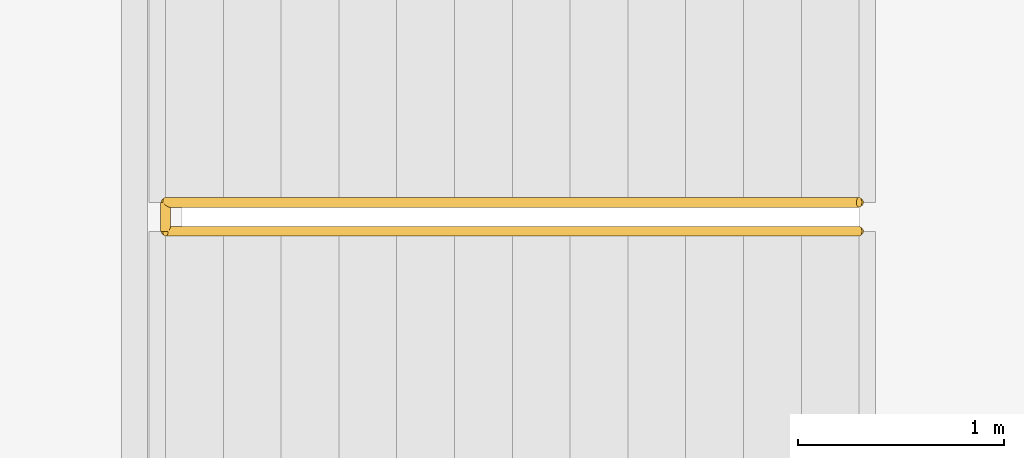
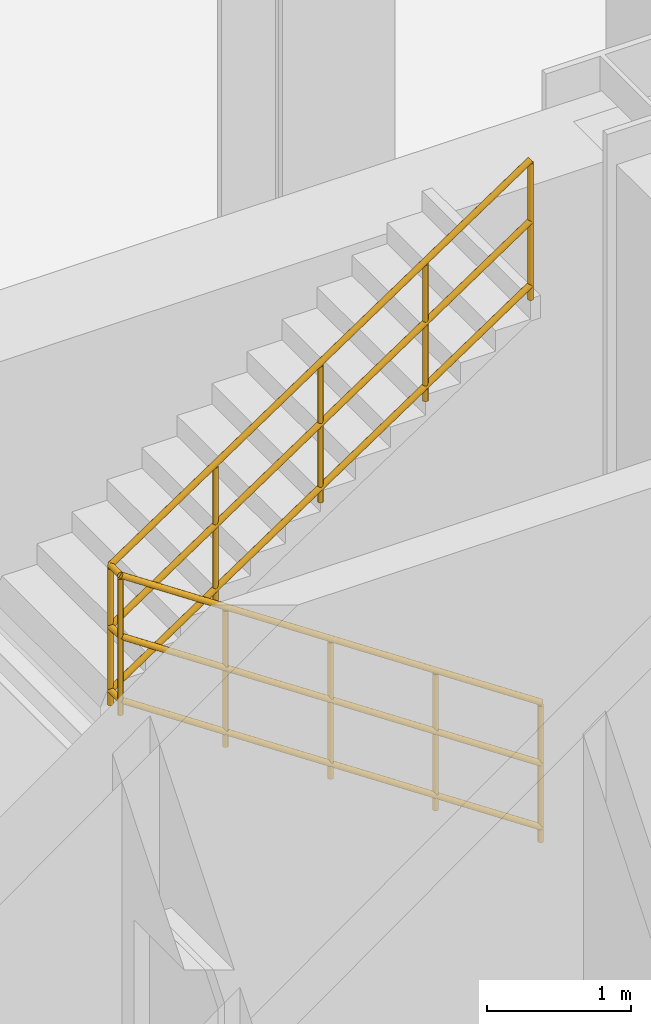
# One storey, part 26 of 27: 1 railing.
"""IFC4 building model written with IfcOpenShell, lengths in metres."""

from ifc_helpers import new_model, si_unit, direction, frame, origin, origin_2d, place, context, subcontext, project, spatial, circle, extrude, material, type_object, element, save


model = new_model("IFC4")

# Units and contexts
model_context = context("Model", 3, precision=1e-05, world=origin(), true_north=direction((0.0, 1.0)))
body_context = subcontext(model_context, "Body", "Model", "MODEL_VIEW")
ifc_project = project(units=[si_unit("LENGTHUNIT", "METRE"), si_unit("AREAUNIT", "SQUARE_METRE"), si_unit("VOLUMEUNIT", "CUBIC_METRE"), si_unit("PLANEANGLEUNIT", "RADIAN"), si_unit("MASSUNIT", "GRAM", prefix="KILO")], contexts=[model_context])

# Site, building, storey
site_placement = place(None, origin())
site = spatial("IfcSite", under=ifc_project, at=site_placement, CompositionType="ELEMENT")
building_placement = place(site_placement, origin())
building = spatial("IfcBuilding", under=site, at=building_placement, Name="Seokmaru Belvedere", CompositionType="ELEMENT")
storey_placement = place(building_placement, frame((0.0, 0.0, 9.89990234375)))
storey = spatial("IfcBuildingStorey", under=building, at=storey_placement, Name="L02", CompositionType="ELEMENT", Elevation=9.89990234375)

# Railing
ifc_material = material(Name="Stainless Steel 316", Category="steel")
railing_type = type_object("IfcRailingType", Name="Stair Well and Atrium Steel Guardrail 1200", PredefinedType="GUARDRAIL", material=ifc_material)
railing_placement = place(storey_placement, frame((34.60009765625, 11.4599609375, 0.0)))
element("IfcRailing", 1, at=railing_placement, inside=storey, type_object=railing_type, Name="L02 Stair ST-E2 Inner Well Guardrail", PredefinedType="GUARDRAIL", context=body_context, shape_type="SweptSolid", body=[
    extrude(circle(Radius=0.02392578125, at=origin_2d()), frame((0.0, 0.0, 1.17578125), z_axis=(-0.830915400975, 0.0, 0.556398774641), x_axis=(0.0, -1.0, 0.0)), (0.0, 0.0, 1.0), 4.0439453125),
    extrude(circle(Radius=0.02392578125, at=origin_2d()), frame((0.0, 0.0, 0.1201171875), z_axis=(-0.830915400975, 0.0, 0.556398774641), x_axis=(0.0, -1.0, 0.0)), (0.0, 0.0, 1.0), 4.0439453125),
    extrude(circle(Radius=0.02392578125, at=origin_2d()), frame((0.0, 0.0, 0.659912109375), z_axis=(-0.830915400975, 0.0, 0.556398774641), x_axis=(0.0, -1.0, 0.0)), (0.0, 0.0, 1.0), 4.0439453125),
    extrude(circle(Radius=0.02392578125, at=origin_2d()), frame((-3.360107421875, 0.0, 3.42578125), z_axis=(0.0, 1.0, 0.0), x_axis=(-1.0, 0.0, 0.0)), (0.0, 0.0, 1.0), 0.14013671875),
    extrude(circle(Radius=0.02392578125, at=origin_2d()), frame((-3.360107421875, 0.0, 2.3701171875), z_axis=(0.0, 1.0, 0.0), x_axis=(-1.0, 0.0, 0.0)), (0.0, 0.0, 1.0), 0.14013671875),
    extrude(circle(Radius=0.02392578125, at=origin_2d()), frame((-3.360107421875, 0.0, 2.909912109375), z_axis=(0.0, 1.0, 0.0), x_axis=(-1.0, 0.0, 0.0)), (0.0, 0.0, 1.0), 0.14013671875),
    extrude(circle(Radius=0.02392578125, at=origin_2d()), frame((-3.360107421875, 0.14013671875, 3.42578125), z_axis=(0.830915400975, 0.0, 0.556398774641), x_axis=(0.0, 1.0, 0.0)), (0.0, 0.0, 1.0), 4.0439453125),
    extrude(circle(Radius=0.02392578125, at=origin_2d()), frame((-3.360107421875, 0.14013671875, 2.3701171875), z_axis=(0.830915400975, 0.0, 0.556398774641), x_axis=(0.0, 1.0, 0.0)), (0.0, 0.0, 1.0), 4.0439453125),
    extrude(circle(Radius=0.02392578125, at=origin_2d()), frame((-3.360107421875, 0.14013671875, 2.909912109375), z_axis=(0.830915400975, 0.0, 0.556398774641), x_axis=(0.0, 1.0, 0.0)), (0.0, 0.0, 1.0), 4.0439453125),
    extrude(circle(Radius=0.02099609375, at=origin_2d()), origin(), (0.0, 0.0, 1.0), 1.15185546875),
    extrude(circle(Radius=0.02099609375, at=origin_2d()), frame((-0.840087890625, 0.0, 0.5625)), (0.0, 0.0, 1.0), 1.15185546875),
    extrude(circle(Radius=0.02099609375, at=origin_2d()), frame((-1.68017578125, 0.0, 1.125)), (0.0, 0.0, 1.0), 1.15185546875),
    extrude(circle(Radius=0.02099609375, at=origin_2d()), frame((-2.52001953125, 0.0, 1.6875)), (0.0, 0.0, 1.0), 1.15185546875),
    extrude(circle(Radius=0.02099609375, at=origin_2d()), frame((-3.360107421875, 0.0, 2.25)), (0.0, 0.0, 1.0), 1.15185546875),
    extrude(circle(Radius=0.02099609375, at=origin_2d()), frame((-3.360107421875, 0.14013671875, 2.25)), (0.0, 0.0, 1.0), 1.15185546875),
    extrude(circle(Radius=0.02099609375, at=origin_2d()), frame((-2.52001953125, 0.14013671875, 2.8125)), (0.0, 0.0, 1.0), 1.15185546875),
    extrude(circle(Radius=0.02099609375, at=origin_2d()), frame((-1.68017578125, 0.14013671875, 3.375)), (0.0, 0.0, 1.0), 1.15185546875),
    extrude(circle(Radius=0.02099609375, at=origin_2d()), frame((-0.840087890625, 0.14013671875, 3.9375)), (0.0, 0.0, 1.0), 1.15185546875),
    extrude(circle(Radius=0.02099609375, at=origin_2d()), frame((0.0, 0.14013671875, 4.5)), (0.0, 0.0, 1.0), 1.15185546875),
])

save(model, "model.ifc")
